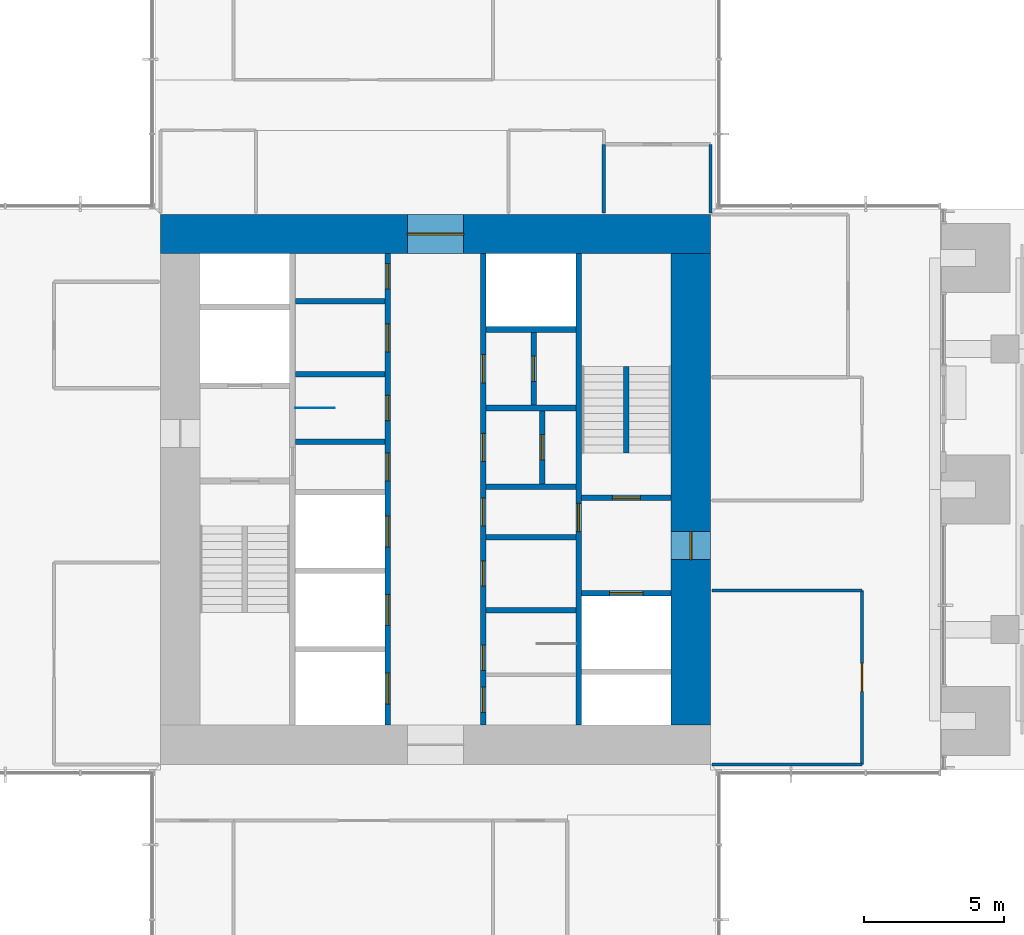
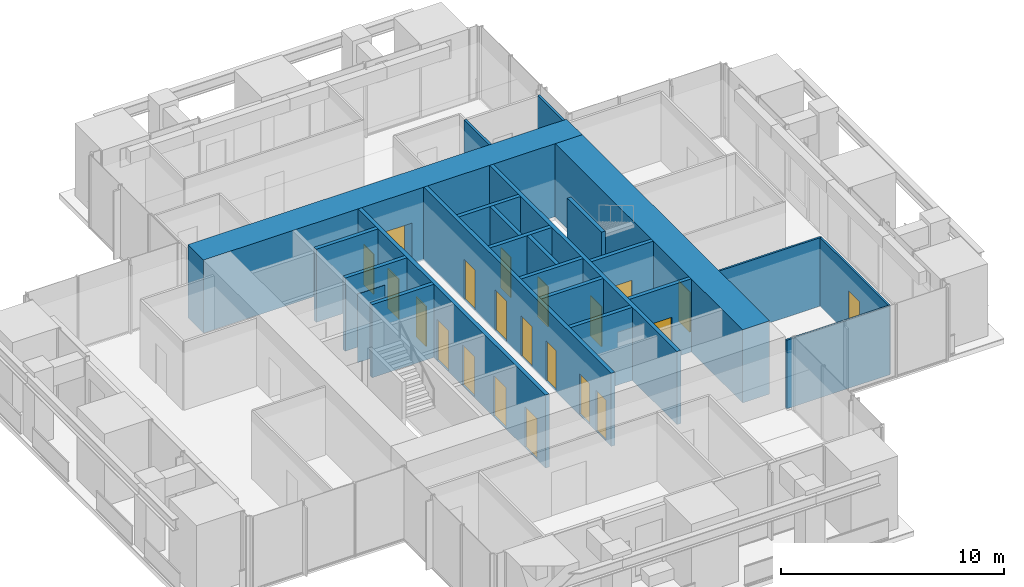
# One storey, part 13 of 17: 24 walls, 21 doors, 21 openings.
"""IFC4 building model written with IfcOpenShell, lengths in metres."""

from ifc_helpers import new_model, si_unit, direction, frame, frame_2d, origin, place, context, subcontext, project, spatial, rectangle, extrude, material, layer, layer_set, type_object, element, fill, save


model = new_model("IFC4")

# Units and contexts
model_context = context("Model", 3, precision=1e-05, world=origin(), true_north=direction((0.0, 1.0)))
body_context = subcontext(model_context, "Body", "Model", "MODEL_VIEW")
ifc_project = project(units=[si_unit("LENGTHUNIT", "METRE"), si_unit("AREAUNIT", "SQUARE_METRE"), si_unit("VOLUMEUNIT", "CUBIC_METRE"), si_unit("PLANEANGLEUNIT", "RADIAN"), si_unit("MASSUNIT", "GRAM", prefix="KILO")], contexts=[model_context])

# Site, building, storey
site_placement = place(None, origin())
site = spatial("IfcSite", under=ifc_project, at=site_placement, CompositionType="ELEMENT")
building_placement = place(site_placement, origin())
building = spatial("IfcBuilding", under=site, at=building_placement, Name="Svetlomir Tower", CompositionType="ELEMENT")
storey_placement = place(building_placement, frame((0.0, 0.0, 174.5)))
storey = spatial("IfcBuildingStorey", under=building, at=storey_placement, Name="L41", CompositionType="ELEMENT", Elevation=174.5)

# Wall, openings, doors
ifc_material_1 = material(Name="Concrete C60/75", Category="concrete")
ifc_layer_1 = layer(ifc_material_1, 0.199951171875)
ifc_layer_set_1 = layer_set([ifc_layer_1], Name="Concrete C60/75")
wall_type_1 = type_object("IfcWallType", Name="CORE INNER WALL 200", PredefinedType="SHEAR", material=ifc_layer_set_1)
wall_1_placement = place(storey_placement, frame((19.300048828125, 12.60009765625, -0.050048828125), z_axis=(0.0, 0.0, 1.0), x_axis=(0.0, 1.0, 0.0)))
wall_1 = element("IfcWall", 1, at=wall_1_placement, inside=storey, type_object=wall_type_1, Name="Core inner wall 19.3 L41", PredefinedType="SHEAR", context=body_context, shape_type="SweptSolid", body=[
    extrude(rectangle(XDim=16.7998046875, YDim=0.199951171875, at=frame_2d((8.39990234375, 0.0))), origin(), (0.0, 0.0, 1.0), 4.0),
])
opening_1_placement = place(wall_1_placement, frame((8.699951171875, 0.0, 0.050048828125)))
opening_1 = element("IfcOpeningElement", 2, at=opening_1_placement, cuts=wall_1, Name="Opening DC", PredefinedType="OPENING", context=body_context, shape_type="SweptSolid", body=[
    extrude(rectangle(XDim=1.0, YDim=2.199951171875, at=frame_2d((0.5, 1.10009765625))), frame((0.0, 0.10986328125, 0.0), z_axis=(0.0, -1.0, 0.0), x_axis=(1.0, 0.0, 0.0)), (0.0, 0.0, 1.0), 0.219970703125),
])
opening_2_placement = place(wall_1_placement, frame((10.85009765625, 0.0, 0.050048828125)))
opening_2 = element("IfcOpeningElement", 3, at=opening_2_placement, cuts=wall_1, Name="Opening DW", PredefinedType="OPENING", context=body_context, shape_type="SweptSolid", body=[
    extrude(rectangle(XDim=0.89990234375, YDim=2.199951171875, at=frame_2d((0.449951171875, 1.10009765625))), frame((0.0, 0.10986328125, 0.0), z_axis=(0.0, -1.0, 0.0), x_axis=(1.0, 0.0, 0.0)), (0.0, 0.0, 1.0), 0.219970703125),
])
opening_3_placement = place(wall_1_placement, frame((13.300048828125, 0.0, 0.050048828125)))
opening_3 = element("IfcOpeningElement", 4, at=opening_3_placement, cuts=wall_1, Name="Opening DC", PredefinedType="OPENING", context=body_context, shape_type="SweptSolid", body=[
    extrude(rectangle(XDim=1.0, YDim=2.199951171875, at=frame_2d((0.5, 1.10009765625))), frame((0.0, 0.10986328125, 0.0), z_axis=(0.0, -1.0, 0.0), x_axis=(1.0, 0.0, 0.0)), (0.0, 0.0, 1.0), 0.219970703125),
])
opening_4_placement = place(wall_1_placement, frame((15.550048828125, 0.0, 0.050048828125)))
opening_4 = element("IfcOpeningElement", 5, at=opening_4_placement, cuts=wall_1, Name="Opening DW", PredefinedType="OPENING", context=body_context, shape_type="SweptSolid", body=[
    extrude(rectangle(XDim=0.89990234375, YDim=2.199951171875, at=frame_2d((0.449951171875, 1.10009765625))), frame((0.0, 0.10986328125, 0.0), z_axis=(0.0, -1.0, 0.0), x_axis=(1.0, 0.0, 0.0)), (0.0, 0.0, 1.0), 0.219970703125),
])
opening_5_placement = place(wall_1_placement, frame((0.75, 0.0, 0.050048828125)))
opening_5 = element("IfcOpeningElement", 6, at=opening_5_placement, cuts=wall_1, Name="Opening LD", PredefinedType="OPENING", context=body_context, shape_type="SweptSolid", body=[
    extrude(rectangle(XDim=1.10009765625, YDim=2.199951171875, at=frame_2d((0.550048828125, 1.10009765625))), frame((0.0, 0.10986328125, 0.0), z_axis=(0.0, -1.0, 0.0), x_axis=(1.0, 0.0, 0.0)), (0.0, 0.0, 1.0), 0.219970703125),
])
opening_6_placement = place(wall_1_placement, frame((3.550048828125, 0.0, 0.050048828125)))
opening_6 = element("IfcOpeningElement", 7, at=opening_6_placement, cuts=wall_1, Name="Opening LD", PredefinedType="OPENING", context=body_context, shape_type="SweptSolid", body=[
    extrude(rectangle(XDim=1.10009765625, YDim=2.199951171875, at=frame_2d((0.550048828125, 1.10009765625))), frame((0.0, 0.10986328125, 0.0), z_axis=(0.0, -1.0, 0.0), x_axis=(1.0, 0.0, 0.0)), (0.0, 0.0, 1.0), 0.219970703125),
])
opening_7_placement = place(wall_1_placement, frame((6.35009765625, 0.0, 0.050048828125)))
opening_7 = element("IfcOpeningElement", 8, at=opening_7_placement, cuts=wall_1, Name="Opening LD", PredefinedType="OPENING", context=body_context, shape_type="SweptSolid", body=[
    extrude(rectangle(XDim=1.10009765625, YDim=2.199951171875, at=frame_2d((0.550048828125, 1.10009765625))), frame((0.0, 0.10986328125, 0.0), z_axis=(0.0, -1.0, 0.0), x_axis=(1.0, 0.0, 0.0)), (0.0, 0.0, 1.0), 0.219970703125),
])
ifc_material_2 = material(Name="Timber fire door", Category="wood")
door_type_1 = type_object("IfcDoorType", Name="DOOR DC 1000x2200", OperationType="SINGLE_SWING_LEFT", PredefinedType="DOOR", material=ifc_material_2)
door_1_placement = place(opening_1_placement, origin())
door_1 = element("IfcDoor", 9, at=door_1_placement, inside=storey, type_object=door_type_1, Name="Core corridor west lobby door L41", OperationType="SINGLE_SWING_RIGHT", OverallHeight=2.199951171875, OverallWidth=1.0, PredefinedType="DOOR", context=body_context, shape_type="SweptSolid", body=[
    extrude(rectangle(XDim=1.0, YDim=2.199951171875, at=frame_2d((0.5, 1.10009765625))), frame((0.0, 0.02490234375, 0.0), z_axis=(0.0, -1.0, 0.0), x_axis=(1.0, 0.0, 0.0)), (0.0, 0.0, 1.0), 0.050048828125),
])
fill(opening_1, door_1)
door_2_placement = place(opening_3_placement, origin())
door_2 = element("IfcDoor", 10, at=door_2_placement, inside=storey, type_object=door_type_1, Name="Accessible WC door L41", OperationType="SINGLE_SWING_LEFT", OverallHeight=2.199951171875, OverallWidth=1.0, PredefinedType="DOOR", context=body_context, shape_type="SweptSolid", body=[
    extrude(rectangle(XDim=1.0, YDim=2.199951171875, at=frame_2d((0.5, 1.10009765625))), frame((0.0, 0.02490234375, 0.0), z_axis=(0.0, -1.0, 0.0), x_axis=(1.0, 0.0, 0.0)), (0.0, 0.0, 1.0), 0.050048828125),
])
fill(opening_3, door_2)
ifc_material_3 = material(Name="Timber fire door", Category="wood")
door_type_2 = type_object("IfcDoorType", Name="DOOR DW 900x2200", OperationType="SINGLE_SWING_LEFT", PredefinedType="DOOR", material=ifc_material_3)
door_3_placement = place(opening_2_placement, origin())
door_3 = element("IfcDoor", 11, at=door_3_placement, inside=storey, type_object=door_type_2, Name="Female WC door L41", OperationType="SINGLE_SWING_RIGHT", OverallHeight=2.199951171875, OverallWidth=0.89990234375, PredefinedType="DOOR", context=body_context, shape_type="SweptSolid", body=[
    extrude(rectangle(XDim=0.89990234375, YDim=2.199951171875, at=frame_2d((0.449951171875, 1.10009765625))), frame((0.0, 0.02490234375, 0.0), z_axis=(0.0, -1.0, 0.0), x_axis=(1.0, 0.0, 0.0)), (0.0, 0.0, 1.0), 0.050048828125),
])
fill(opening_2, door_3)
door_4_placement = place(opening_4_placement, origin())
door_4 = element("IfcDoor", 12, at=door_4_placement, inside=storey, type_object=door_type_2, Name="Tea point door L41", OperationType="SINGLE_SWING_RIGHT", OverallHeight=2.199951171875, OverallWidth=0.89990234375, PredefinedType="DOOR", context=body_context, shape_type="SweptSolid", body=[
    extrude(rectangle(XDim=0.89990234375, YDim=2.199951171875, at=frame_2d((0.449951171875, 1.10009765625))), frame((0.0, 0.02490234375, 0.0), z_axis=(0.0, -1.0, 0.0), x_axis=(1.0, 0.0, 0.0)), (0.0, 0.0, 1.0), 0.050048828125),
])
fill(opening_4, door_4)
ifc_material_4 = material(Name="Stainless steel landing door", Category="steel")
door_type_3 = type_object("IfcDoorType", Name="LIFT LANDING DOOR LD 1100x2200", OperationType="DOUBLE_DOOR_SLIDING", PredefinedType="DOOR", material=ifc_material_4)
door_5_placement = place(opening_5_placement, origin())
door_5 = element("IfcDoor", 13, at=door_5_placement, inside=storey, type_object=door_type_3, Name="Landing door lift LC1 L41", OperationType="DOUBLE_DOOR_SLIDING", OverallHeight=2.199951171875, OverallWidth=1.10009765625, PredefinedType="DOOR", context=body_context, shape_type="SweptSolid", body=[
    extrude(rectangle(XDim=1.10009765625, YDim=2.199951171875, at=frame_2d((0.550048828125, 1.10009765625))), frame((0.0, 0.02490234375, 0.0), z_axis=(0.0, -1.0, 0.0), x_axis=(1.0, 0.0, 0.0)), (0.0, 0.0, 1.0), 0.050048828125),
])
fill(opening_5, door_5)
door_6_placement = place(opening_6_placement, origin())
door_6 = element("IfcDoor", 14, at=door_6_placement, inside=storey, type_object=door_type_3, Name="Landing door lift LC2 L41", OperationType="DOUBLE_DOOR_SLIDING", OverallHeight=2.199951171875, OverallWidth=1.10009765625, PredefinedType="DOOR", context=body_context, shape_type="SweptSolid", body=[
    extrude(rectangle(XDim=1.10009765625, YDim=2.199951171875, at=frame_2d((0.550048828125, 1.10009765625))), frame((0.0, 0.02490234375, 0.0), z_axis=(0.0, -1.0, 0.0), x_axis=(1.0, 0.0, 0.0)), (0.0, 0.0, 1.0), 0.050048828125),
])
fill(opening_6, door_6)
door_7_placement = place(opening_7_placement, origin())
door_7 = element("IfcDoor", 15, at=door_7_placement, inside=storey, type_object=door_type_3, Name="Landing door lift LC3 L41", OperationType="DOUBLE_DOOR_SLIDING", OverallHeight=2.199951171875, OverallWidth=1.10009765625, PredefinedType="DOOR", context=body_context, shape_type="SweptSolid", body=[
    extrude(rectangle(XDim=1.10009765625, YDim=2.199951171875, at=frame_2d((0.550048828125, 1.10009765625))), frame((0.0, 0.02490234375, 0.0), z_axis=(0.0, -1.0, 0.0), x_axis=(1.0, 0.0, 0.0)), (0.0, 0.0, 1.0), 0.050048828125),
])
fill(opening_7, door_7)

wall_2_placement = place(storey_placement, frame((22.699951171875, 12.60009765625, -0.050048828125), z_axis=(0.0, 0.0, 1.0), x_axis=(0.0, 1.0, 0.0)))
wall_2 = element("IfcWall", 16, at=wall_2_placement, inside=storey, type_object=wall_type_1, Name="Core inner wall 22.7 L41", PredefinedType="SHEAR", context=body_context, shape_type="SweptSolid", body=[
    extrude(rectangle(XDim=16.7998046875, YDim=0.199951171875, at=frame_2d((8.39990234375, 0.0))), origin(), (0.0, 0.0, 1.0), 4.0),
])
opening_8_placement = place(wall_2_placement, frame((0.449951171875, 0.0, 0.050048828125)))
opening_8 = element("IfcOpeningElement", 17, at=opening_8_placement, cuts=wall_2, Name="Opening DW", PredefinedType="OPENING", context=body_context, shape_type="SweptSolid", body=[
    extrude(rectangle(XDim=0.89990234375, YDim=2.199951171875, at=frame_2d((0.449951171875, 1.10009765625))), frame((0.0, 0.10986328125, 0.0), z_axis=(0.0, -1.0, 0.0), x_axis=(1.0, 0.0, 0.0)), (0.0, 0.0, 1.0), 0.219970703125),
])
opening_9_placement = place(wall_2_placement, frame((7.10009765625, 0.0, 0.050048828125)))
opening_9 = element("IfcOpeningElement", 18, at=opening_9_placement, cuts=wall_2, Name="Opening DC", PredefinedType="OPENING", context=body_context, shape_type="SweptSolid", body=[
    extrude(rectangle(XDim=1.0, YDim=2.199951171875, at=frame_2d((0.5, 1.10009765625))), frame((0.0, 0.10986328125, 0.0), z_axis=(0.0, -1.0, 0.0), x_axis=(1.0, 0.0, 0.0)), (0.0, 0.0, 1.0), 0.219970703125),
])
opening_10_placement = place(wall_2_placement, frame((1.949951171875, 0.0, 0.050048828125)))
opening_10 = element("IfcOpeningElement", 19, at=opening_10_placement, cuts=wall_2, Name="Opening DW", PredefinedType="OPENING", context=body_context, shape_type="SweptSolid", body=[
    extrude(rectangle(XDim=0.89990234375, YDim=2.199951171875, at=frame_2d((0.449951171875, 1.10009765625))), frame((0.0, 0.10986328125, 0.0), z_axis=(0.0, -1.0, 0.0), x_axis=(1.0, 0.0, 0.0)), (0.0, 0.0, 1.0), 0.219970703125),
])
opening_11_placement = place(wall_2_placement, frame((4.949951171875, 0.0, 0.050048828125)))
opening_11 = element("IfcOpeningElement", 20, at=opening_11_placement, cuts=wall_2, Name="Opening DW", PredefinedType="OPENING", context=body_context, shape_type="SweptSolid", body=[
    extrude(rectangle(XDim=0.89990234375, YDim=2.199951171875, at=frame_2d((0.449951171875, 1.10009765625))), frame((0.0, 0.10986328125, 0.0), z_axis=(0.0, -1.0, 0.0), x_axis=(1.0, 0.0, 0.0)), (0.0, 0.0, 1.0), 0.219970703125),
])
opening_12_placement = place(wall_2_placement, frame((9.39990234375, 0.0, 0.050048828125)))
opening_12 = element("IfcOpeningElement", 21, at=opening_12_placement, cuts=wall_2, Name="Opening DC", PredefinedType="OPENING", context=body_context, shape_type="SweptSolid", body=[
    extrude(rectangle(XDim=1.0, YDim=2.199951171875, at=frame_2d((0.5, 1.10009765625))), frame((0.0, 0.10986328125, 0.0), z_axis=(0.0, -1.0, 0.0), x_axis=(1.0, 0.0, 0.0)), (0.0, 0.0, 1.0), 0.219970703125),
])
opening_13_placement = place(wall_2_placement, frame((12.199951171875, 0.0, 0.050048828125)))
opening_13 = element("IfcOpeningElement", 22, at=opening_13_placement, cuts=wall_2, Name="Opening DC", PredefinedType="OPENING", context=body_context, shape_type="SweptSolid", body=[
    extrude(rectangle(XDim=1.0, YDim=2.199951171875, at=frame_2d((0.5, 1.10009765625))), frame((0.0, 0.10986328125, 0.0), z_axis=(0.0, -1.0, 0.0), x_axis=(1.0, 0.0, 0.0)), (0.0, 0.0, 1.0), 0.219970703125),
])
door_8_placement = place(opening_9_placement, origin())
door_8 = element("IfcDoor", 23, at=door_8_placement, inside=storey, type_object=door_type_1, Name="Core corridor east lobby door L41", OperationType="SINGLE_SWING_LEFT", OverallHeight=2.199951171875, OverallWidth=1.0, PredefinedType="DOOR", context=body_context, shape_type="SweptSolid", body=[
    extrude(rectangle(XDim=1.0, YDim=2.199951171875, at=frame_2d((0.5, 1.10009765625))), frame((0.0, 0.02490234375, 0.0), z_axis=(0.0, -1.0, 0.0), x_axis=(1.0, 0.0, 0.0)), (0.0, 0.0, 1.0), 0.050048828125),
])
fill(opening_9, door_8)
door_9_placement = place(opening_12_placement, origin())
door_9 = element("IfcDoor", 24, at=door_9_placement, inside=storey, type_object=door_type_1, Name="Converted shaft BANK-E1 room door L41", OperationType="SINGLE_SWING_LEFT", OverallHeight=2.199951171875, OverallWidth=1.0, PredefinedType="DOOR", context=body_context, shape_type="SweptSolid", body=[
    extrude(rectangle(XDim=1.0, YDim=2.199951171875, at=frame_2d((0.5, 1.10009765625))), frame((0.0, 0.02490234375, 0.0), z_axis=(0.0, -1.0, 0.0), x_axis=(1.0, 0.0, 0.0)), (0.0, 0.0, 1.0), 0.050048828125),
])
fill(opening_12, door_9)
door_10_placement = place(opening_13_placement, origin())
door_10 = element("IfcDoor", 25, at=door_10_placement, inside=storey, type_object=door_type_1, Name="Converted shaft BANK-E2 room door L41", OperationType="SINGLE_SWING_LEFT", OverallHeight=2.199951171875, OverallWidth=1.0, PredefinedType="DOOR", context=body_context, shape_type="SweptSolid", body=[
    extrude(rectangle(XDim=1.0, YDim=2.199951171875, at=frame_2d((0.5, 1.10009765625))), frame((0.0, 0.02490234375, 0.0), z_axis=(0.0, -1.0, 0.0), x_axis=(1.0, 0.0, 0.0)), (0.0, 0.0, 1.0), 0.050048828125),
])
fill(opening_13, door_10)
door_11_placement = place(opening_8_placement, origin())
door_11 = element("IfcDoor", 26, at=door_11_placement, inside=storey, type_object=door_type_2, Name="Floor store door L41", OperationType="SINGLE_SWING_LEFT", OverallHeight=2.199951171875, OverallWidth=0.89990234375, PredefinedType="DOOR", context=body_context, shape_type="SweptSolid", body=[
    extrude(rectangle(XDim=0.89990234375, YDim=2.199951171875, at=frame_2d((0.449951171875, 1.10009765625))), frame((0.0, 0.02490234375, 0.0), z_axis=(0.0, -1.0, 0.0), x_axis=(1.0, 0.0, 0.0)), (0.0, 0.0, 1.0), 0.050048828125),
])
fill(opening_8, door_11)
door_12_placement = place(opening_10_placement, origin())
door_12 = element("IfcDoor", 27, at=door_12_placement, inside=storey, type_object=door_type_2, Name="Male WC door L41", OperationType="SINGLE_SWING_LEFT", OverallHeight=2.199951171875, OverallWidth=0.89990234375, PredefinedType="DOOR", context=body_context, shape_type="SweptSolid", body=[
    extrude(rectangle(XDim=0.89990234375, YDim=2.199951171875, at=frame_2d((0.449951171875, 1.10009765625))), frame((0.0, 0.02490234375, 0.0), z_axis=(0.0, -1.0, 0.0), x_axis=(1.0, 0.0, 0.0)), (0.0, 0.0, 1.0), 0.050048828125),
])
fill(opening_10, door_12)
door_13_placement = place(opening_11_placement, origin())
door_13 = element("IfcDoor", 28, at=door_13_placement, inside=storey, type_object=door_type_2, Name="Comms room door L41", OperationType="SINGLE_SWING_RIGHT", OverallHeight=2.199951171875, OverallWidth=0.89990234375, PredefinedType="DOOR", context=body_context, shape_type="SweptSolid", body=[
    extrude(rectangle(XDim=0.89990234375, YDim=2.199951171875, at=frame_2d((0.449951171875, 1.10009765625))), frame((0.0, 0.02490234375, 0.0), z_axis=(0.0, -1.0, 0.0), x_axis=(1.0, 0.0, 0.0)), (0.0, 0.0, 1.0), 0.050048828125),
])
fill(opening_11, door_13)

# Wall, opening, door
wall_3_placement = place(storey_placement, frame((26.10009765625, 12.60009765625, -0.050048828125), z_axis=(0.0, 0.0, 1.0), x_axis=(0.0, 1.0, 0.0)))
wall_3 = element("IfcWall", 29, at=wall_3_placement, inside=storey, type_object=wall_type_1, Name="Core inner wall 26.1 L41", PredefinedType="SHEAR", context=body_context, shape_type="SweptSolid", body=[
    extrude(rectangle(XDim=16.7998046875, YDim=0.199951171875, at=frame_2d((8.39990234375, 0.0))), origin(), (0.0, 0.0, 1.0), 4.0),
])
opening_14_placement = place(wall_3_placement, frame((6.89990234375, 0.0, 0.050048828125)))
opening_14 = element("IfcOpeningElement", 30, at=opening_14_placement, cuts=wall_3, Name="Opening DF", PredefinedType="OPENING", context=body_context, shape_type="SweptSolid", body=[
    extrude(rectangle(XDim=1.0, YDim=2.199951171875, at=frame_2d((0.5, 1.10009765625))), frame((0.0, 0.10986328125, 0.0), z_axis=(0.0, -1.0, 0.0), x_axis=(1.0, 0.0, 0.0)), (0.0, 0.0, 1.0), 0.219970703125),
])
ifc_material_5 = material(Name="Steel fire door", Category="steel")
door_type_4 = type_object("IfcDoorType", Name="DOOR DF 1000x2200", OperationType="SINGLE_SWING_LEFT", PredefinedType="DOOR", material=ifc_material_5)
door_14_placement = place(opening_14_placement, origin())
door_14 = element("IfcDoor", 31, at=door_14_placement, inside=storey, type_object=door_type_4, Name="Core corridor east door L41", OperationType="SINGLE_SWING_LEFT", OverallHeight=2.199951171875, OverallWidth=1.0, PredefinedType="DOOR", context=body_context, shape_type="SweptSolid", body=[
    extrude(rectangle(XDim=1.0, YDim=2.199951171875, at=frame_2d((0.5, 1.10009765625))), frame((0.0, 0.02490234375, 0.0), z_axis=(0.0, -1.0, 0.0), x_axis=(1.0, 0.0, 0.0)), (0.0, 0.0, 1.0), 0.050048828125),
])
fill(opening_14, door_14)

# Walls
for number, where, z_axis, x_axis, name in (
    (32, (16.0, 22.699951171875, -0.050048828125), (0.0, 0.0, 1.0), (1.0, 0.0, 0.0), "Core inner wall 16-19.2/22.7 L41"),
    (33, (16.0, 25.10009765625, -0.050048828125), (0.0, 0.0, 1.0), (1.0, 0.0, 0.0), "Core inner wall 16-19.2/25.1 L41"),
    (34, (16.0, 27.699951171875, -0.050048828125), (0.0, 0.0, 1.0), (1.0, 0.0, 0.0), "Core inner wall 16-19.2/27.7 L41"),
    (35, (22.800048828125, 16.699951171875, -0.050048828125), (0.0, 0.0, 1.0), (1.0, 0.0, 0.0), "Core inner wall 22.8-26/16.7 L41"),
    (36, (22.800048828125, 19.300048828125, -0.050048828125), (0.0, 0.0, 1.0), (1.0, 0.0, 0.0), "Core inner wall 22.8-26/19.3 L41"),
    (37, (22.800048828125, 21.10009765625, -0.050048828125), (0.0, 0.0, 1.0), (1.0, 0.0, 0.0), "Core inner wall 22.8-26/21.1 L41"),
    (38, (22.800048828125, 23.89990234375, -0.050048828125), (0.0, 0.0, 1.0), (1.0, 0.0, 0.0), "Core inner wall 22.8-26/23.9 L41"),
    (39, (22.800048828125, 26.699951171875, -0.050048828125), (0.0, 0.0, 1.0), (1.0, 0.0, 0.0), "Core inner wall 22.8-26/26.7 L41"),
):
    element("IfcWall", number, at=place(storey_placement, frame(where, z_axis=z_axis, x_axis=x_axis)), inside=storey, type_object=wall_type_1, Name=name, PredefinedType="SHEAR", context=body_context, shape_type="SweptSolid", body=[
        extrude(rectangle(XDim=3.199951171875, YDim=0.199951171875, at=frame_2d((1.60009765625, 0.0))), origin(), (0.0, 0.0, 1.0), 4.0),
    ])

# Wall, opening, door
wall_4_placement = place(storey_placement, frame((26.199951171875, 17.300048828125, -0.050048828125), z_axis=(0.0, 0.0, 1.0), x_axis=(1.0, 0.0, 0.0)))
wall_4 = element("IfcWall", 40, at=wall_4_placement, inside=storey, type_object=wall_type_1, Name="Core inner wall 26.2-29.4/17.3 L41", PredefinedType="SHEAR", context=body_context, shape_type="SweptSolid", body=[
    extrude(rectangle(XDim=3.199951171875, YDim=0.199951171875, at=frame_2d((1.60009765625, 0.0))), origin(), (0.0, 0.0, 1.0), 4.0),
])
opening_15_placement = place(wall_4_placement, frame((1.0, 0.0, 0.050048828125)))
opening_15 = element("IfcOpeningElement", 41, at=opening_15_placement, cuts=wall_4, Name="Opening LD3", PredefinedType="OPENING", context=body_context, shape_type="SweptSolid", body=[
    extrude(rectangle(XDim=1.199951171875, YDim=2.199951171875, at=frame_2d((0.60009765625, 1.10009765625))), frame((0.0, 0.10986328125, 0.0), z_axis=(0.0, -1.0, 0.0), x_axis=(1.0, 0.0, 0.0)), (0.0, 0.0, 1.0), 0.219970703125),
])
ifc_material_6 = material(Name="Stainless steel fire-rated landing door", Category="steel")
door_type_5 = type_object("IfcDoorType", Name="FIREFIGHTING LIFT LANDING DOOR LD3 1200x2200", OperationType="DOUBLE_DOOR_SLIDING", PredefinedType="DOOR", material=ifc_material_6)
door_15_placement = place(opening_15_placement, origin())
door_15 = element("IfcDoor", 42, at=door_15_placement, inside=storey, type_object=door_type_5, Name="Landing door lift FL2 L41", OperationType="DOUBLE_DOOR_SLIDING", OverallHeight=2.199951171875, OverallWidth=1.199951171875, PredefinedType="DOOR", context=body_context, shape_type="SweptSolid", body=[
    extrude(rectangle(XDim=1.199951171875, YDim=2.199951171875, at=frame_2d((0.60009765625, 1.10009765625))), frame((0.0, 0.02490234375, 0.0), z_axis=(0.0, -1.0, 0.0), x_axis=(1.0, 0.0, 0.0)), (0.0, 0.0, 1.0), 0.050048828125),
])
fill(opening_15, door_15)

wall_5_placement = place(storey_placement, frame((26.199951171875, 20.699951171875, -0.050048828125), z_axis=(0.0, 0.0, 1.0), x_axis=(1.0, 0.0, 0.0)))
wall_5 = element("IfcWall", 43, at=wall_5_placement, inside=storey, type_object=wall_type_1, Name="Core inner wall 26.2-29.4/20.7 L41", PredefinedType="SHEAR", context=body_context, shape_type="SweptSolid", body=[
    extrude(rectangle(XDim=3.199951171875, YDim=0.199951171875, at=frame_2d((1.60009765625, 0.0))), origin(), (0.0, 0.0, 1.0), 4.0),
])
opening_16_placement = place(wall_5_placement, frame((1.10009765625, 0.0, 0.050048828125)))
opening_16 = element("IfcOpeningElement", 44, at=opening_16_placement, cuts=wall_5, Name="Opening DF", PredefinedType="OPENING", context=body_context, shape_type="SweptSolid", body=[
    extrude(rectangle(XDim=1.0, YDim=2.199951171875, at=frame_2d((0.5, 1.10009765625))), frame((0.0, 0.10986328125, 0.0), z_axis=(0.0, -1.0, 0.0), x_axis=(1.0, 0.0, 0.0)), (0.0, 0.0, 1.0), 0.219970703125),
])
door_16_placement = place(opening_16_placement, origin())
door_16 = element("IfcDoor", 45, at=door_16_placement, inside=storey, type_object=door_type_4, Name="Stair S2 door L41", OperationType="SINGLE_SWING_LEFT", OverallHeight=2.199951171875, OverallWidth=1.0, PredefinedType="DOOR", context=body_context, shape_type="SweptSolid", body=[
    extrude(rectangle(XDim=1.0, YDim=2.199951171875, at=frame_2d((0.5, 1.10009765625))), frame((0.0, 0.02490234375, 0.0), z_axis=(0.0, -1.0, 0.0), x_axis=(1.0, 0.0, 0.0)), (0.0, 0.0, 1.0), 0.050048828125),
])
fill(opening_16, door_16)

wall_6_placement = place(storey_placement, frame((24.800048828125, 21.199951171875, -0.050048828125), z_axis=(0.0, 0.0, 1.0), x_axis=(0.0, 1.0, 0.0)))
wall_6 = element("IfcWall", 46, at=wall_6_placement, inside=storey, type_object=wall_type_1, Name="Core inner wall 24.8/21.2-23.8 L41", PredefinedType="SHEAR", context=body_context, shape_type="SweptSolid", body=[
    extrude(rectangle(XDim=2.60009765625, YDim=0.199951171875, at=frame_2d((1.300048828125, 0.0))), origin(), (0.0, 0.0, 1.0), 4.0),
])
opening_17_placement = place(wall_6_placement, frame((0.85009765625, 0.0, 0.050048828125)))
opening_17 = element("IfcOpeningElement", 47, at=opening_17_placement, cuts=wall_6, Name="Opening DW", PredefinedType="OPENING", context=body_context, shape_type="SweptSolid", body=[
    extrude(rectangle(XDim=0.89990234375, YDim=2.199951171875, at=frame_2d((0.449951171875, 1.10009765625))), frame((0.0, 0.10986328125, 0.0), z_axis=(0.0, -1.0, 0.0), x_axis=(1.0, 0.0, 0.0)), (0.0, 0.0, 1.0), 0.219970703125),
])
door_17_placement = place(opening_17_placement, origin())
door_17 = element("IfcDoor", 48, at=door_17_placement, inside=storey, type_object=door_type_2, Name="Converted shaft BANK-E1 back room door L41", OperationType="SINGLE_SWING_RIGHT", OverallHeight=2.199951171875, OverallWidth=0.89990234375, PredefinedType="DOOR", context=body_context, shape_type="SweptSolid", body=[
    extrude(rectangle(XDim=0.89990234375, YDim=2.199951171875, at=frame_2d((0.449951171875, 1.10009765625))), frame((0.0, 0.02490234375, 0.0), z_axis=(0.0, -1.0, 0.0), x_axis=(1.0, 0.0, 0.0)), (0.0, 0.0, 1.0), 0.050048828125),
])
fill(opening_17, door_17)

wall_7_placement = place(storey_placement, frame((24.5, 24.0, -0.050048828125), z_axis=(0.0, 0.0, 1.0), x_axis=(0.0, 1.0, 0.0)))
wall_7 = element("IfcWall", 49, at=wall_7_placement, inside=storey, type_object=wall_type_1, Name="Core inner wall 24.5/24-26.6 L41", PredefinedType="SHEAR", context=body_context, shape_type="SweptSolid", body=[
    extrude(rectangle(XDim=2.60009765625, YDim=0.199951171875, at=frame_2d((1.300048828125, 0.0))), origin(), (0.0, 0.0, 1.0), 4.0),
])
opening_18_placement = place(wall_7_placement, frame((0.85009765625, 0.0, 0.050048828125)))
opening_18 = element("IfcOpeningElement", 50, at=opening_18_placement, cuts=wall_7, Name="Opening DW", PredefinedType="OPENING", context=body_context, shape_type="SweptSolid", body=[
    extrude(rectangle(XDim=0.89990234375, YDim=2.199951171875, at=frame_2d((0.449951171875, 1.10009765625))), frame((0.0, 0.10986328125, 0.0), z_axis=(0.0, -1.0, 0.0), x_axis=(1.0, 0.0, 0.0)), (0.0, 0.0, 1.0), 0.219970703125),
])
door_18_placement = place(opening_18_placement, origin())
door_18 = element("IfcDoor", 51, at=door_18_placement, inside=storey, type_object=door_type_2, Name="Converted shaft BANK-E2 back room door L41", OperationType="SINGLE_SWING_RIGHT", OverallHeight=2.199951171875, OverallWidth=0.89990234375, PredefinedType="DOOR", context=body_context, shape_type="SweptSolid", body=[
    extrude(rectangle(XDim=0.89990234375, YDim=2.199951171875, at=frame_2d((0.449951171875, 1.10009765625))), frame((0.0, 0.02490234375, 0.0), z_axis=(0.0, -1.0, 0.0), x_axis=(1.0, 0.0, 0.0)), (0.0, 0.0, 1.0), 0.050048828125),
])
fill(opening_18, door_18)

ifc_material_7 = material(Name="Concrete C60/75", Category="concrete")
ifc_layer_2 = layer(ifc_material_7, 1.39990234375)
ifc_layer_set_2 = layer_set([ifc_layer_2], Name="Concrete C60/75")
wall_type_2 = type_object("IfcWallType", Name="CORE WALL 1400", PredefinedType="SHEAR", material=ifc_layer_set_2)
wall_8_placement = place(storey_placement, frame((11.199951171875, 30.10009765625, -0.050048828125), z_axis=(0.0, 0.0, 1.0), x_axis=(1.0, 0.0, 0.0)))
wall_8 = element("IfcWall", 52, at=wall_8_placement, inside=storey, type_object=wall_type_2, Name="Core wall north L41", PredefinedType="SHEAR", context=body_context, shape_type="SweptSolid", body=[
    extrude(rectangle(XDim=19.60009765625, YDim=1.39990234375, at=frame_2d((9.800048828125, 0.0))), origin(), (0.0, 0.0, 1.0), 4.0),
])
opening_19_placement = place(wall_8_placement, frame((8.800048828125, 0.0, 0.050048828125)))
opening_19 = element("IfcOpeningElement", 53, at=opening_19_placement, cuts=wall_8, Name="Opening DL", PredefinedType="OPENING", context=body_context, shape_type="SweptSolid", body=[
    extrude(rectangle(XDim=2.0, YDim=2.199951171875, at=frame_2d((1.0, 1.10009765625))), frame((0.0, 0.7099609375, 0.0), z_axis=(0.0, -1.0, 0.0), x_axis=(1.0, 0.0, 0.0)), (0.0, 0.0, 1.0), 1.419921875),
])
ifc_material_8 = material(Name="Steel fire door", Category="steel")
door_type_6 = type_object("IfcDoorType", Name="DOOR DL 2000x2200", OperationType="DOUBLE_DOOR_SINGLE_SWING", PredefinedType="DOOR", material=ifc_material_8)
door_19_placement = place(opening_19_placement, origin())
door_19 = element("IfcDoor", 54, at=door_19_placement, inside=storey, type_object=door_type_6, Name="Lift lobby north door L41", OperationType="DOUBLE_DOOR_SINGLE_SWING", OverallHeight=2.199951171875, OverallWidth=2.0, PredefinedType="DOOR", context=body_context, shape_type="SweptSolid", body=[
    extrude(rectangle(XDim=2.0, YDim=2.199951171875, at=frame_2d((1.0, 1.10009765625))), frame((0.0, 0.02490234375, 0.0), z_axis=(0.0, -1.0, 0.0), x_axis=(1.0, 0.0, 0.0)), (0.0, 0.0, 1.0), 0.050048828125),
])
fill(opening_19, door_19)

wall_9_placement = place(storey_placement, frame((30.10009765625, 12.60009765625, -0.050048828125), z_axis=(0.0, 0.0, 1.0), x_axis=(0.0, 1.0, 0.0)))
wall_9 = element("IfcWall", 55, at=wall_9_placement, inside=storey, type_object=wall_type_2, Name="Core wall east L41", PredefinedType="SHEAR", context=body_context, shape_type="SweptSolid", body=[
    extrude(rectangle(XDim=16.7998046875, YDim=1.39990234375, at=frame_2d((8.39990234375, 0.0))), origin(), (0.0, 0.0, 1.0), 4.0),
])
opening_20_placement = place(wall_9_placement, frame((5.89990234375, 0.0, 0.050048828125)))
opening_20 = element("IfcOpeningElement", 56, at=opening_20_placement, cuts=wall_9, Name="Opening DF", PredefinedType="OPENING", context=body_context, shape_type="SweptSolid", body=[
    extrude(rectangle(XDim=1.0, YDim=2.199951171875, at=frame_2d((0.5, 1.10009765625))), frame((0.0, 0.7099609375, 0.0), z_axis=(0.0, -1.0, 0.0), x_axis=(1.0, 0.0, 0.0)), (0.0, 0.0, 1.0), 1.419921875),
])
door_20_placement = place(opening_20_placement, origin())
door_20 = element("IfcDoor", 57, at=door_20_placement, inside=storey, type_object=door_type_4, Name="Firefighting lobby east door L41", OperationType="SINGLE_SWING_LEFT", OverallHeight=2.199951171875, OverallWidth=1.0, PredefinedType="DOOR", context=body_context, shape_type="SweptSolid", body=[
    extrude(rectangle(XDim=1.0, YDim=2.199951171875, at=frame_2d((0.5, 1.10009765625))), frame((0.0, 0.02490234375, 0.0), z_axis=(0.0, -1.0, 0.0), x_axis=(1.0, 0.0, 0.0)), (0.0, 0.0, 1.0), 0.050048828125),
])
fill(opening_20, door_20)

# Walls
ifc_material_9 = material(Name="Framed laminated glass partition", Category="glass")
ifc_layer_3 = layer(ifc_material_9, 0.10009765625)
ifc_layer_set_3 = layer_set([ifc_layer_3], Name="Framed laminated glass partition")
wall_type_3 = type_object("IfcWallType", Name="GLAZED PARTITION 100", PredefinedType="PARTITIONING", material=ifc_layer_set_3)
for number, where, z_axis, x_axis, name in (
    (58, (30.85009765625, 11.199951171875, 0.0), (0.0, 0.0, 1.0), (1.0, 0.0, 0.0), "Glazed partition L41"),
    (59, (30.85009765625, 17.39990234375, 0.0), (0.0, 0.0, 1.0), (1.0, 0.0, 0.0), "Glazed partition L41"),
):
    element("IfcWall", number, at=place(storey_placement, frame(where, z_axis=z_axis, x_axis=x_axis)), inside=storey, type_object=wall_type_3, Name=name, PredefinedType="PARTITIONING", context=body_context, shape_type="SweptSolid", body=[
        extrude(rectangle(XDim=5.349853515625, YDim=0.10009765625, at=frame_2d((2.6748046875, 0.0))), origin(), (0.0, 0.0, 1.0), 3.75),
    ])

# Wall, opening, door
wall_10_placement = place(storey_placement, frame((36.199951171875, 11.199951171875, 0.0), z_axis=(0.0, 0.0, 1.0), x_axis=(0.0, 1.0, 0.0)))
wall_10 = element("IfcWall", 60, at=wall_10_placement, inside=storey, type_object=wall_type_3, Name="Glazed partition L41", PredefinedType="PARTITIONING", context=body_context, shape_type="SweptSolid", body=[
    extrude(rectangle(XDim=6.199951171875, YDim=0.10009765625, at=frame_2d((3.10009765625, 0.0))), origin(), (0.0, 0.0, 1.0), 3.75),
])
opening_21_placement = place(wall_10_placement, frame((2.60009765625, 0.0, 0.0)))
opening_21 = element("IfcOpeningElement", 61, at=opening_21_placement, cuts=wall_10, Name="Opening DG", PredefinedType="OPENING", context=body_context, shape_type="SweptSolid", body=[
    extrude(rectangle(XDim=1.0, YDim=2.39990234375, at=frame_2d((0.5, 1.199951171875))), frame((0.0, 0.06005859375, 0.0), z_axis=(0.0, -1.0, 0.0), x_axis=(1.0, 0.0, 0.0)), (0.0, 0.0, 1.0), 0.1201171875),
])
ifc_material_10 = material(Name="Framed laminated glass door", Category="glass")
door_type_7 = type_object("IfcDoorType", Name="GLAZED DOOR DG 1000x2400", OperationType="SINGLE_SWING_LEFT", PredefinedType="DOOR", material=ifc_material_10)
door_21_placement = place(opening_21_placement, origin())
door_21 = element("IfcDoor", 62, at=door_21_placement, inside=storey, type_object=door_type_7, Name="Maker space door L41", OperationType="SINGLE_SWING_RIGHT", OverallHeight=2.39990234375, OverallWidth=1.0, PredefinedType="DOOR", context=body_context, shape_type="SweptSolid", body=[
    extrude(rectangle(XDim=1.0, YDim=2.39990234375, at=frame_2d((0.5, 1.199951171875))), frame((0.0, 0.02490234375, 0.0), z_axis=(0.0, -1.0, 0.0), x_axis=(1.0, 0.0, 0.0)), (0.0, 0.0, 1.0), 0.050048828125),
])
fill(opening_21, door_21)

# Walls
ifc_material_11 = material(Name="Gypsum board on steel studs", Category="steel")
ifc_layer_4 = layer(ifc_material_11, 0.1201171875)
ifc_layer_set_4 = layer_set([ifc_layer_4], Name="Gypsum board on steel studs")
wall_type_4 = type_object("IfcWallType", Name="PARTITION 120", PredefinedType="PARTITIONING", material=ifc_layer_set_4)
for number, where, z_axis, x_axis, name in (
    (63, (27.0, 30.85009765625, 0.0), (0.0, 0.0, 1.0), (0.0, 1.0, 0.0), "Partition L41"),
    (64, (30.800048828125, 30.85009765625, 0.0), (0.0, 0.0, 1.0), (0.0, 1.0, 0.0), "Partition L41"),
):
    element("IfcWall", number, at=place(storey_placement, frame(where, z_axis=z_axis, x_axis=x_axis)), inside=storey, type_object=wall_type_4, Name=name, PredefinedType="PARTITIONING", context=body_context, shape_type="SweptSolid", body=[
        extrude(rectangle(XDim=2.449951171875, YDim=0.1201171875, at=frame_2d((1.22509765625, 0.0))), origin(), (0.0, 0.0, 1.0), 3.75),
    ])
ifc_material_12 = material(Name="Concrete C60/75", Category="concrete")
ifc_layer_5 = layer(ifc_material_12, 0.199951171875)
ifc_layer_set_5 = layer_set([ifc_layer_5], Name="Concrete C60/75")
wall_type_5 = type_object("IfcWallType", Name="STAIR SPINE WALL 200", PredefinedType="PARTITIONING", material=ifc_layer_set_5)
wall_11_placement = place(storey_placement, frame((27.800048828125, 22.300048828125, 0.0), z_axis=(0.0, 0.0, 1.0), x_axis=(0.0, 1.0, 0.0)))
element("IfcWall", 65, at=wall_11_placement, inside=storey, type_object=wall_type_5, Name="Stair S2 spine wall L41", PredefinedType="PARTITIONING", context=body_context, shape_type="SweptSolid", body=[
    extrude(rectangle(XDim=3.079833984375, YDim=0.199951171875, at=frame_2d((1.5400390625, 0.0))), origin(), (0.0, 0.0, 1.0), 4.0),
])
ifc_material_13 = material(Name="Compact laminate panel", Category="plastic")
ifc_layer_6 = layer(ifc_material_13, 0.030029296875)
ifc_layer_set_6 = layer_set([ifc_layer_6], Name="Compact laminate panel")
wall_type_6 = type_object("IfcWallType", Name="WC CUBICLE PARTITION 30", PredefinedType="PARTITIONING", material=ifc_layer_set_6)
wall_12_placement = place(storey_placement, frame((16.0, 23.89990234375, 0.0), z_axis=(0.0, 0.0, 1.0), x_axis=(1.0, 0.0, 0.0)))
element("IfcWall", 66, at=wall_12_placement, inside=storey, type_object=wall_type_6, Name="WC cubicle partition L41", PredefinedType="PARTITIONING", context=body_context, shape_type="SweptSolid", body=[
    extrude(rectangle(XDim=1.39990234375, YDim=0.030029296875, at=frame_2d((0.699951171875, 0.0))), origin(), (0.0, 0.0, 1.0), 3.75),
])

save(model, "model.ifc")
